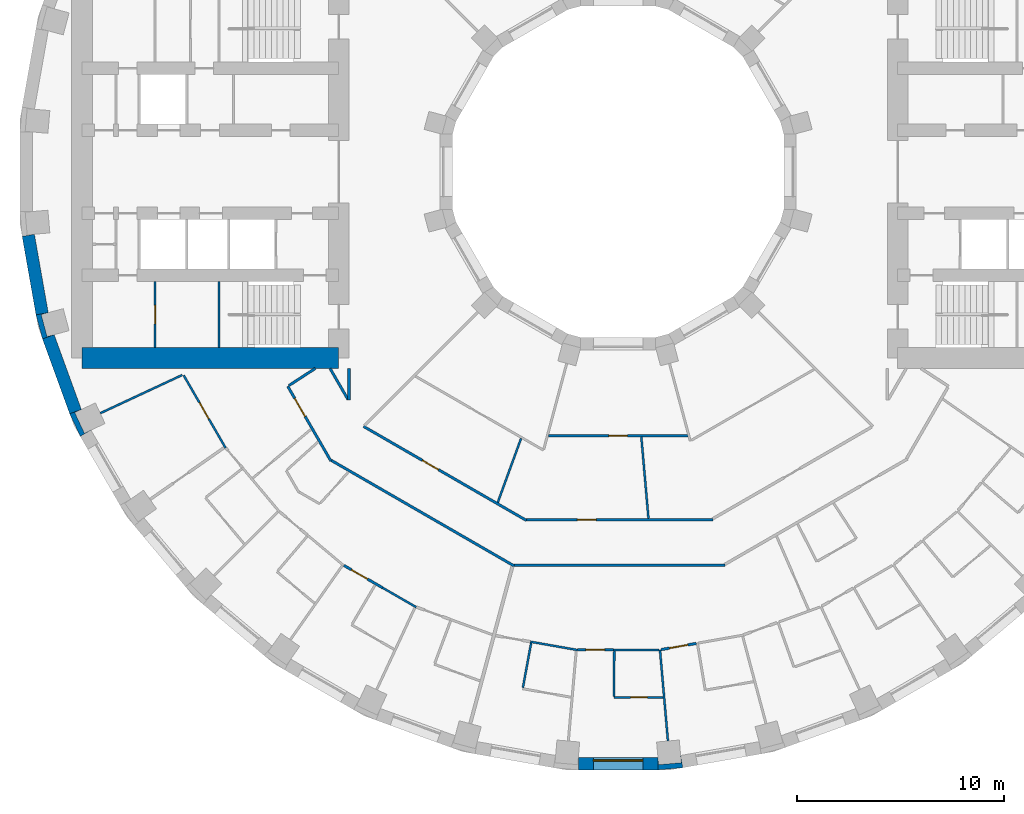
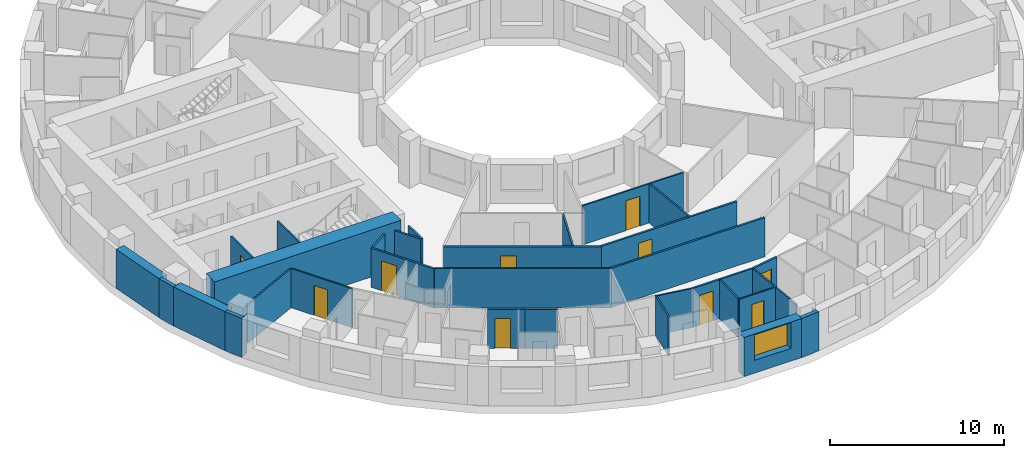
# One storey, part 3 of 14: 32 walls, 10 doors, 1 window, 11 openings.
"""IFC4 building model written with IfcOpenShell, lengths in metres."""

from ifc_helpers import new_model, si_unit, direction, frame, frame_2d, origin, place, context, subcontext, project, spatial, polyline, rectangle, outline, extrude, material, layer, layer_set, type_object, element, fill, save


model = new_model("IFC4")

# Units and contexts
model_context = context("Model", 3, precision=1e-05, world=origin(), true_north=direction((0.0, 1.0)))
body_context = subcontext(model_context, "Body", "Model", "MODEL_VIEW")
ifc_project = project(units=[si_unit("LENGTHUNIT", "METRE"), si_unit("AREAUNIT", "SQUARE_METRE"), si_unit("VOLUMEUNIT", "CUBIC_METRE"), si_unit("PLANEANGLEUNIT", "RADIAN"), si_unit("MASSUNIT", "GRAM", prefix="KILO")], contexts=[model_context])

# Site, building, storey
site_placement = place(None, origin())
site = spatial("IfcSite", under=ifc_project, at=site_placement, CompositionType="ELEMENT")
building_placement = place(site_placement, origin())
building = spatial("IfcBuilding", under=site, at=building_placement, Name="Saqina Gate Tower", CompositionType="ELEMENT")
storey_placement = place(building_placement, frame((0.0, 0.0, 52.699951171875)))
storey = spatial("IfcBuildingStorey", under=building, at=storey_placement, Name="L14", CompositionType="ELEMENT", Elevation=52.699951171875)

# Walls
ifc_material_1 = material(Name="Brick masonry (red)", Category="masonry")
wall_type_1 = type_object("IfcWallType", Name="BRICK PIER COPING RED", PredefinedType="SOLIDWALL", material=ifc_material_1)
wall_1_placement = place(storey_placement, origin())
element("IfcWall", 1, at=wall_1_placement, inside=storey, type_object=wall_type_1, Name="Pier cap L14 column 20", PredefinedType="SOLIDWALL", context=body_context, shape_type="SweptSolid", body=[
    extrude(outline(polyline([(-28.11669921875, -6.910400390625), (-27.80517578125, -8.073974609375), (-27.2412109375, -7.86865234375), (-27.57958984375, -7.95947265625), (-27.864501953125, -6.896728515625), (-27.52587890625, -6.80615234375), (-28.11669921875, -6.910400390625)])), origin(), (0.0, 0.0, 1.0), 2.75),
])
wall_2_placement = place(storey_placement, origin())
element("IfcWall", 2, at=wall_2_placement, inside=storey, type_object=wall_type_1, Name="Pier cap L14 column 21", PredefinedType="SOLIDWALL", context=body_context, shape_type="SweptSolid", body=[
    extrude(outline(polyline([(-25.980712890625, -12.779541015625), (-25.4609375, -12.4794921875), (-25.778564453125, -12.627685546875), (-26.243408203125, -11.630615234375), (-25.92578125, -11.482666015625), (-26.48974609375, -11.687744140625), (-25.980712890625, -12.779541015625)])), origin(), (0.0, 0.0, 1.0), 2.75),
])
wall_3_placement = place(storey_placement, origin())
element("IfcWall", 3, at=wall_3_placement, inside=storey, type_object=wall_type_1, Name="Pier cap L14 column 28", PredefinedType="SOLIDWALL", context=body_context, shape_type="SweptSolid", body=[
    extrude(outline(polyline([(1.9228515625, -28.8896484375), (3.122802734375, -28.78466796875), (3.018798828125, -28.19384765625), (3.04931640625, -28.54296875), (1.95361328125, -28.638671875), (1.9228515625, -28.28955078125), (1.9228515625, -28.8896484375)])), origin(), (0.0, 0.0, 1.0), 2.75),
])

# Wall, opening, door
ifc_material_2 = material(Name="Gypsum board on steel studs", Category="steel")
ifc_layer_1 = layer(ifc_material_2, 0.10009765625)
ifc_layer_set_1 = layer_set([ifc_layer_1], Name="CORE PARTITION")
wall_type_2 = type_object("IfcWallType", Name="CORE PARTITION", PredefinedType="PARTITIONING", material=ifc_layer_set_1)
wall_4_placement = place(storey_placement, frame((-22.360107421875, -8.5, 0.0), z_axis=(0.0, 0.0, 1.0), x_axis=(0.0, 1.0, 0.0)))
wall_4 = element("IfcWall", 4, at=wall_4_placement, inside=storey, type_object=wall_type_2, Name="L14-CP-W15", PredefinedType="PARTITIONING", context=body_context, shape_type="SweptSolid", body=[
    extrude(rectangle(XDim=3.199951171875, YDim=0.10009765625, at=frame_2d((1.60009765625, 0.0))), origin(), (0.0, 0.0, 1.0), 2.75),
])
opening_1_placement = place(wall_4_placement, frame((1.14990234375, 0.0, 0.0)))
opening_1 = element("IfcOpeningElement", 5, at=opening_1_placement, cuts=wall_4, Name="Opening G03-D118", PredefinedType="OPENING", context=body_context, shape_type="SweptSolid", body=[
    extrude(rectangle(XDim=0.89990234375, YDim=2.10009765625, at=frame_2d((0.449951171875, 1.050048828125))), frame((0.0, 0.06201171875, 0.0), z_axis=(0.0, -1.0, 0.0), x_axis=(1.0, 0.0, 0.0)), (0.0, 0.0, 1.0), 0.1240234375),
])
ifc_material_3 = material(Name="Steel-framed fire door leaf, EI 60", Category="steel")
door_type_1 = type_object("IfcDoorType", Name="SERVICE ROOM DOOR 900", OperationType="SINGLE_SWING_LEFT", PredefinedType="DOOR", material=ifc_material_3)
door_1_placement = place(opening_1_placement, origin())
door_1 = element("IfcDoor", 6, at=door_1_placement, inside=storey, type_object=door_type_1, Name="L14-CD-W29", OperationType="SINGLE_SWING_LEFT", OverallHeight=2.10009765625, OverallWidth=0.89990234375, PredefinedType="DOOR", context=body_context, shape_type="SweptSolid", body=[
    extrude(rectangle(XDim=0.89990234375, YDim=2.10009765625, at=frame_2d((0.449951171875, 1.050048828125))), frame((0.0, 0.02490234375, 0.0), z_axis=(0.0, -1.0, 0.0), x_axis=(1.0, 0.0, 0.0)), (0.0, 0.0, 1.0), 0.050048828125),
])
fill(opening_1, door_1)

# Wall, opening, window
ifc_material_4 = material(Name="Brick masonry (red)", Category="masonry")
ifc_layer_2 = layer(ifc_material_4, 0.60009765625)
ifc_layer_set_2 = layer_set([ifc_layer_2], Name="FW-BRICK-RED")
wall_type_3 = type_object("IfcWallType", Name="FW-BRICK-RED", PredefinedType="SOLIDWALL", material=ifc_layer_set_2)
wall_5_placement = place(storey_placement, frame((-1.9228515625, -28.589599609375, 0.0), z_axis=(0.0, 0.0, 1.0), x_axis=(1.0, 0.0, 0.0)))
wall_5 = element("IfcWall", 7, at=wall_5_placement, inside=storey, type_object=wall_type_3, Name="Facade wall L14 facet 27", PredefinedType="SOLIDWALL", context=body_context, shape_type="SweptSolid", body=[
    extrude(rectangle(XDim=3.845703125, YDim=0.60009765625, at=frame_2d((1.9228515625, 0.0))), origin(), (0.0, 0.0, 1.0), 2.75),
])
opening_2_placement = place(wall_5_placement, frame((0.722900390625, 0.0, 0.89990234375)))
opening_2 = element("IfcOpeningElement", 8, at=opening_2_placement, cuts=wall_5, Name="Opening G03-W20", PredefinedType="OPENING", context=body_context, shape_type="SweptSolid", body=[
    extrude(rectangle(XDim=2.39990234375, YDim=1.800048828125, at=frame_2d((1.199951171875, 0.89990234375))), frame((0.0, 0.31201171875, 0.0), z_axis=(0.0, -1.0, 0.0), x_axis=(1.0, 0.0, 0.0)), (0.0, 0.0, 1.0), 0.6240234375),
])
ifc_material_5 = material(Name="Aluminium glazing", Category="aluminium")
window_type = type_object("IfcWindowType", Name="WN-A", PartitioningType="SINGLE_PANEL", PredefinedType="WINDOW", material=ifc_material_5)
window_placement = place(opening_2_placement, origin())
window = element("IfcWindow", 9, at=window_placement, inside=storey, type_object=window_type, Name="Window L14 facet 27", OverallHeight=1.800048828125, OverallWidth=2.39990234375, PartitioningType="SINGLE_PANEL", PredefinedType="WINDOW", context=body_context, shape_type="SweptSolid", body=[
    extrude(rectangle(XDim=2.39990234375, YDim=1.800048828125, at=frame_2d((1.199951171875, 0.89990234375))), frame((0.0, 0.179931640625, 0.0), z_axis=(0.0, -1.0, 0.0), x_axis=(1.0, 0.0, 0.0)), (0.0, 0.0, 1.0), 0.06005859375),
])
fill(opening_2, window)

# Walls
ifc_material_6 = material(Name="Glazed ceramic tile", Category="ceramic")
ifc_layer_3 = layer(ifc_material_6, 0.60009765625)
ifc_layer_set_3 = layer_set([ifc_layer_3], Name="FW-TILE")
wall_type_4 = type_object("IfcWallType", Name="FW-TILE", PredefinedType="SOLIDWALL", material=ifc_layer_set_3)
wall_6_placement = place(storey_placement, frame((-28.4892578125, -3.07080078125, 0.0), z_axis=(0.0, 0.0, 1.0), x_axis=(0.173687553279, -0.984800809218, 0.0)))
element("IfcWall", 10, at=wall_6_placement, inside=storey, type_object=wall_type_4, Name="Facade wall L14 facet 19", PredefinedType="SOLIDWALL", context=body_context, shape_type="SweptSolid", body=[
    extrude(rectangle(XDim=3.845703125, YDim=0.60009765625, at=frame_2d((1.9228515625, 0.0))), origin(), (0.0, 0.0, 1.0), 2.75),
])
ifc_material_7 = material(Name="Glazed ceramic tile (dark blue)", Category="ceramic")
ifc_layer_4 = layer(ifc_material_7, 0.60009765625)
ifc_layer_set_4 = layer_set([ifc_layer_4], Name="FW-TILE-CB")
wall_type_5 = type_object("IfcWallType", Name="FW-TILE-CB", PredefinedType="SOLIDWALL", material=ifc_layer_set_4)
wall_7_placement = place(storey_placement, frame((-27.523193359375, -7.97119140625, 0.0), z_axis=(0.0, 0.0, 1.0), x_axis=(0.342028474173, -0.939689588564, 0.0)))
element("IfcWall", 11, at=wall_7_placement, inside=storey, type_object=wall_type_5, Name="Facade wall L14 facet 20", PredefinedType="SOLIDWALL", context=body_context, shape_type="SweptSolid", body=[
    extrude(rectangle(XDim=3.845947265625, YDim=0.60009765625, at=frame_2d((1.9228515625, 0.0))), origin(), (0.0, 0.0, 1.0), 2.75),
])
ifc_material_8 = material(Name="Gypsum board on steel studs, 100 mm", Category="steel")
ifc_layer_5 = layer(ifc_material_8, 0.10009765625)
ifc_layer_set_5 = layer_set([ifc_layer_5], Name="PARTITION 100")
wall_type_6 = type_object("IfcWallType", Name="PARTITION 100", PredefinedType="PARTITIONING", material=ifc_layer_set_5)
wall_8_placement = place(storey_placement, frame((1.119384765625, -12.7998046875, 0.0), z_axis=(0.0, 0.0, 1.0), x_axis=(0.087327835862, -0.996179626917, 0.0)))
element("IfcWall", 12, at=wall_8_placement, inside=storey, type_object=wall_type_6, Name="PARTITION PW3-02", PredefinedType="PARTITIONING", context=body_context, shape_type="SweptSolid", body=[
    extrude(rectangle(XDim=3.953125, YDim=0.10009765625, at=frame_2d((1.9765625, 0.0))), origin(), (0.0, 0.0, 1.0), 2.75),
])
wall_9_placement = place(storey_placement, frame((2.02001953125, -23.090087890625, 0.0), z_axis=(0.0, 0.0, 1.0), x_axis=(0.087326902968, -0.996179708696, 0.0)))
element("IfcWall", 13, at=wall_9_placement, inside=storey, type_object=wall_type_6, Name="PARTITION PW3-03", PredefinedType="PARTITIONING", context=body_context, shape_type="SweptSolid", body=[
    extrude(rectangle(XDim=4.41162109375, YDim=0.10009765625, at=frame_2d((2.205810546875, 0.0))), origin(), (0.0, 0.0, 1.0), 2.75),
])

# Wall, opening, door
wall_10_placement = place(storey_placement, frame((-20.98095703125, -9.83837890625, 0.0), z_axis=(0.0, 0.0, 1.0), x_axis=(0.500011837539, -0.86601856927, 0.0)))
wall_10 = element("IfcWall", 14, at=wall_10_placement, inside=storey, type_object=wall_type_6, Name="PARTITION PW3-21", PredefinedType="PARTITIONING", context=body_context, shape_type="SweptSolid", body=[
    extrude(rectangle(XDim=4.041015625, YDim=0.10009765625, at=frame_2d((2.0205078125, 0.0))), origin(), (0.0, 0.0, 1.0), 2.75),
])
opening_3_placement = place(wall_10_placement, frame((1.521240234375, 0.0, 0.0)))
opening_3 = element("IfcOpeningElement", 15, at=opening_3_placement, cuts=wall_10, Name="Opening G03-D39", PredefinedType="OPENING", context=body_context, shape_type="SweptSolid", body=[
    extrude(rectangle(XDim=0.89990234375, YDim=2.10009765625, at=frame_2d((0.449951171875, 1.050048828125))), frame((0.0, 0.06201171875, 0.0), z_axis=(0.0, -1.0, 0.0), x_axis=(1.0, 0.0, 0.0)), (0.0, 0.0, 1.0), 0.1240234375),
])
ifc_material_9 = material(Name="Timber door leaf, 900 mm", Category="wood")
door_type_2 = type_object("IfcDoorType", Name="DOOR 900 TIMBER", OperationType="SINGLE_SWING_LEFT", PredefinedType="DOOR", material=ifc_material_9)
door_2_placement = place(opening_3_placement, origin())
door_2 = element("IfcDoor", 16, at=door_2_placement, inside=storey, type_object=door_type_2, Name="DOOR G03-D39", OperationType="SINGLE_SWING_LEFT", OverallHeight=2.10009765625, OverallWidth=0.89990234375, PredefinedType="DOOR", context=body_context, shape_type="SweptSolid", body=[
    extrude(rectangle(XDim=0.89990234375, YDim=2.10009765625, at=frame_2d((0.449951171875, 1.050048828125))), frame((0.0, 0.02490234375, 0.0), z_axis=(0.0, -1.0, 0.0), x_axis=(1.0, 0.0, 0.0)), (0.0, 0.0, 1.0), 0.050048828125),
])
fill(opening_3, door_2)

# Walls
wall_11_placement = place(storey_placement, frame((-11.38037109375, -20.09130859375, 0.0), z_axis=(0.0, 0.0, 1.0), x_axis=(0.866207192616, -0.499685000235, 0.0)))
element("IfcWall", 17, at=wall_11_placement, inside=storey, type_object=wall_type_6, Name="PARTITION PW3-45", PredefinedType="PARTITIONING", context=body_context, shape_type="SweptSolid", body=[
    extrude(rectangle(XDim=1.881103515625, YDim=0.10009765625, at=frame_2d((0.9404296875, 0.0))), origin(), (0.0, 0.0, 1.0), 2.75),
])
wall_12_placement = place(storey_placement, frame((-4.2412109375, -22.6982421875, 0.0), z_axis=(0.0, 0.0, 1.0), x_axis=(0.984796344358, -0.173712866935, 0.0)))
element("IfcWall", 18, at=wall_12_placement, inside=storey, type_object=wall_type_6, Name="PARTITION PW3-58", PredefinedType="PARTITIONING", context=body_context, shape_type="SweptSolid", body=[
    extrude(rectangle(XDim=2.306396484375, YDim=0.10009765625, at=frame_2d((1.1533203125, 0.0))), origin(), (0.0, 0.0, 1.0), 2.75),
])

# Wall, opening, door
wall_13_placement = place(storey_placement, frame((-0.202880859375, -25.389892578125, 0.0), z_axis=(0.0, 0.0, 1.0), x_axis=(1.0, 0.0, 0.0)))
wall_13 = element("IfcWall", 19, at=wall_13_placement, inside=storey, type_object=wall_type_6, Name="PARTITION PW3-61", PredefinedType="PARTITIONING", context=body_context, shape_type="SweptSolid", body=[
    extrude(rectangle(XDim=2.373779296875, YDim=0.10009765625, at=frame_2d((1.18701171875, 0.0))), origin(), (0.0, 0.0, 1.0), 2.75),
])
opening_4_placement = place(wall_13_placement, frame((0.81201171875, 0.0, 0.0)))
opening_4 = element("IfcOpeningElement", 20, at=opening_4_placement, cuts=wall_13, Name="Opening G03-D59", PredefinedType="OPENING", context=body_context, shape_type="SweptSolid", body=[
    extrude(rectangle(XDim=0.800048828125, YDim=2.10009765625, at=frame_2d((0.39990234375, 1.050048828125))), frame((0.0, 0.06201171875, 0.0), z_axis=(0.0, -1.0, 0.0), x_axis=(1.0, 0.0, 0.0)), (0.0, 0.0, 1.0), 0.1240234375),
])
ifc_material_10 = material(Name="Timber door leaf, 800 mm", Category="wood")
door_type_3 = type_object("IfcDoorType", Name="DOOR 800 TIMBER", OperationType="SINGLE_SWING_LEFT", PredefinedType="DOOR", material=ifc_material_10)
door_3_placement = place(opening_4_placement, frame((0.800048828125, 0.0, 0.0), z_axis=(0.0, 0.0, 1.0), x_axis=(-1.0, 0.0, 0.0)))
door_3 = element("IfcDoor", 21, at=door_3_placement, inside=storey, type_object=door_type_3, Name="DOOR G03-D59", OperationType="SINGLE_SWING_LEFT", OverallHeight=2.10009765625, OverallWidth=0.800048828125, PredefinedType="DOOR", context=body_context, shape_type="SweptSolid", body=[
    extrude(rectangle(XDim=0.800048828125, YDim=2.10009765625, at=frame_2d((0.39990234375, 1.050048828125))), frame((0.0, 0.02490234375, 0.0), z_axis=(0.0, -1.0, 0.0), x_axis=(1.0, 0.0, 0.0)), (0.0, 0.0, 1.0), 0.050048828125),
])
fill(opening_4, door_3)

# Wall
wall_14_placement = place(storey_placement, frame((-0.235107421875, -23.090087890625, 0.0), z_axis=(0.0, 0.0, 1.0), x_axis=(1.0, 0.0, 0.0)))
element("IfcWall", 22, at=wall_14_placement, inside=storey, type_object=wall_type_6, Name="PARTITION PW3-62", PredefinedType="PARTITIONING", context=body_context, shape_type="SweptSolid", body=[
    extrude(rectangle(XDim=2.205078125, YDim=0.10009765625, at=frame_2d((1.1025390625, 0.0))), origin(), (0.0, 0.0, 1.0), 2.75),
])

# Wall, opening, door
wall_15_placement = place(storey_placement, frame((-3.365966796875, -12.75, 0.0), z_axis=(0.0, 0.0, 1.0), x_axis=(1.0, 0.0, 0.0)))
wall_15 = element("IfcWall", 23, at=wall_15_placement, inside=storey, type_object=wall_type_6, Name="PARTITION PW3-63", PredefinedType="PARTITIONING", context=body_context, shape_type="SweptSolid", body=[
    extrude(rectangle(XDim=6.73193359375, YDim=0.10009765625, at=frame_2d((3.365966796875, 0.0))), origin(), (0.0, 0.0, 1.0), 2.75),
])
opening_5_placement = place(wall_15_placement, frame((2.916015625, 0.0, 0.0)))
opening_5 = element("IfcOpeningElement", 24, at=opening_5_placement, cuts=wall_15, Name="Opening G03-D58", PredefinedType="OPENING", context=body_context, shape_type="SweptSolid", body=[
    extrude(rectangle(XDim=0.89990234375, YDim=2.10009765625, at=frame_2d((0.449951171875, 1.050048828125))), frame((0.0, 0.06201171875, 0.0), z_axis=(0.0, -1.0, 0.0), x_axis=(1.0, 0.0, 0.0)), (0.0, 0.0, 1.0), 0.1240234375),
])
door_4_placement = place(opening_5_placement, frame((0.89990234375, 0.0, 0.0), z_axis=(0.0, 0.0, 1.0), x_axis=(-1.0, 0.0, 0.0)))
door_4 = element("IfcDoor", 25, at=door_4_placement, inside=storey, type_object=door_type_2, Name="DOOR G03-D58", OperationType="SINGLE_SWING_RIGHT", OverallHeight=2.10009765625, OverallWidth=0.89990234375, PredefinedType="DOOR", context=body_context, shape_type="SweptSolid", body=[
    extrude(rectangle(XDim=0.89990234375, YDim=2.10009765625, at=frame_2d((0.449951171875, 1.050048828125))), frame((0.0, 0.02490234375, 0.0), z_axis=(0.0, -1.0, 0.0), x_axis=(1.0, 0.0, 0.0)), (0.0, 0.0, 1.0), 0.050048828125),
])
fill(opening_5, door_4)

# Walls
wall_16_placement = place(storey_placement, frame((-25.005126953125, -11.65966796875, 0.0), z_axis=(0.0, 0.0, 1.0), x_axis=(0.906326060206, 0.422579072591, 0.0)))
element("IfcWall", 26, at=wall_16_placement, inside=storey, type_object=wall_type_6, Name="PARTITION PW3-78", PredefinedType="PARTITIONING", context=body_context, shape_type="SweptSolid", body=[
    extrude(rectangle(XDim=4.362548828125, YDim=0.10009765625, at=frame_2d((2.18115234375, 0.0))), origin(), (0.0, 0.0, 1.0), 2.75),
])
wall_17_placement = place(storey_placement, frame((-5.813720703125, -15.97119140625, 0.0), z_axis=(0.0, 0.0, 1.0), x_axis=(0.342207917315, 0.939624255395, 0.0)))
element("IfcWall", 27, at=wall_17_placement, inside=storey, type_object=wall_type_6, Name="PARTITION PW3-116", PredefinedType="PARTITIONING", context=body_context, shape_type="SweptSolid", body=[
    extrude(rectangle(XDim=3.288818359375, YDim=0.10009765625, at=frame_2d((1.64453125, 0.0))), origin(), (0.0, 0.0, 1.0), 2.75),
])
wall_18_placement = place(storey_placement, frame((-4.599853515625, -24.919921875, 0.0), z_axis=(0.0, 0.0, 1.0), x_axis=(0.181199143807, 0.983446424714, 0.0)))
element("IfcWall", 28, at=wall_18_placement, inside=storey, type_object=wall_type_6, Name="PARTITION PW3-122", PredefinedType="PARTITIONING", context=body_context, shape_type="SweptSolid", body=[
    extrude(rectangle(XDim=2.2001953125, YDim=0.10009765625, at=frame_2d((1.10009765625, 0.0))), origin(), (0.0, 0.0, 1.0), 2.75),
])
wall_19_placement = place(storey_placement, frame((-0.20263671875, -25.340087890625, 0.0), z_axis=(0.0, 0.0, 1.0), x_axis=(0.007812261592, 0.999969483819, 0.0)))
element("IfcWall", 29, at=wall_19_placement, inside=storey, type_object=wall_type_6, Name="PARTITION PW3-129", PredefinedType="PARTITIONING", context=body_context, shape_type="SweptSolid", body=[
    extrude(rectangle(XDim=2.1875, YDim=0.10009765625, at=frame_2d((1.09375, 0.0))), origin(), (0.0, 0.0, 1.0), 2.75),
])

# Wall, opening, door
ifc_material_11 = material(Name="Gypsum board on steel studs, 125 mm, fire rated", Category="steel")
ifc_layer_6 = layer(ifc_material_11, 0.125)
ifc_layer_set_6 = layer_set([ifc_layer_6], Name="PARTITION EI 30 125")
wall_type_7 = type_object("IfcWallType", Name="PARTITION EI 30 125", PredefinedType="PARTITIONING", material=ifc_layer_set_6)
wall_20_placement = place(storey_placement, frame((-15.95703125, -10.362060546875, 0.0), z_axis=(0.0, 0.0, 1.0), x_axis=(0.500063859158, -0.865988531543, 0.0)))
wall_20 = element("IfcWall", 30, at=wall_20_placement, inside=storey, type_object=wall_type_7, Name="PARTITION PW1-01", PredefinedType="PARTITIONING", context=body_context, shape_type="SweptSolid", body=[
    extrude(rectangle(XDim=4.16796875, YDim=0.125, at=frame_2d((2.083984375, 0.0))), origin(), (0.0, 0.0, 1.0), 2.75),
])
opening_6_placement = place(wall_20_placement, frame((0.673828125, 0.0, 0.0)))
opening_6 = element("IfcOpeningElement", 31, at=opening_6_placement, cuts=wall_20, Name="Opening G03-D41", PredefinedType="OPENING", context=body_context, shape_type="SweptSolid", body=[
    extrude(rectangle(XDim=1.0, YDim=2.10009765625, at=frame_2d((0.5, 1.050048828125))), frame((0.0, 0.074462890625, 0.0), z_axis=(0.0, -1.0, 0.0), x_axis=(1.0, 0.0, 0.0)), (0.0, 0.0, 1.0), 0.14892578125),
])
ifc_material_12 = material(Name="Fire door leaf EI 30, 1000 mm")
door_type_4 = type_object("IfcDoorType", Name="DOOR 1000 EI 30", OperationType="SINGLE_SWING_LEFT", PredefinedType="DOOR", material=ifc_material_12)
door_5_placement = place(opening_6_placement, frame((1.0, 0.0, 0.0), z_axis=(0.0, 0.0, 1.0), x_axis=(-1.0, 0.0, 0.0)))
door_5 = element("IfcDoor", 32, at=door_5_placement, inside=storey, type_object=door_type_4, Name="DOOR G03-D41", OperationType="SINGLE_SWING_RIGHT", OverallHeight=2.10009765625, OverallWidth=1.0, PredefinedType="DOOR", context=body_context, shape_type="SweptSolid", body=[
    extrude(rectangle(XDim=1.0, YDim=2.10009765625, at=frame_2d((0.5, 1.050048828125))), frame((0.0, 0.02490234375, 0.0), z_axis=(0.0, -1.0, 0.0), x_axis=(1.0, 0.0, 0.0)), (0.0, 0.0, 1.0), 0.050048828125),
])
fill(opening_6, door_5)

# Wall
wall_21_placement = place(storey_placement, frame((-13.9140625, -9.5, 0.0), z_axis=(0.0, 0.0, 1.0), x_axis=(0.500066958712, -0.865986741702, 0.0)))
element("IfcWall", 33, at=wall_21_placement, inside=storey, type_object=wall_type_7, Name="PARTITION PW1-02", PredefinedType="PARTITIONING", context=body_context, shape_type="SweptSolid", body=[
    extrude(rectangle(XDim=1.738037109375, YDim=0.125, at=frame_2d((0.869140625, 0.0))), origin(), (0.0, 0.0, 1.0), 2.75),
])

# Wall, opening, door
wall_22_placement = place(storey_placement, frame((-13.250732421875, -19.010986328125, 0.0), z_axis=(0.0, 0.0, 1.0), x_axis=(0.865854192141, -0.500296430081, 0.0)))
wall_22 = element("IfcWall", 34, at=wall_22_placement, inside=storey, type_object=wall_type_7, Name="PARTITION PW1-12", PredefinedType="PARTITIONING", context=body_context, shape_type="SweptSolid", body=[
    extrude(rectangle(XDim=2.159912109375, YDim=0.125, at=frame_2d((1.080078125, 0.0))), origin(), (0.0, 0.0, 1.0), 2.75),
])
opening_7_placement = place(wall_22_placement, frame((0.41748046875, 0.0, 0.0)))
opening_7 = element("IfcOpeningElement", 35, at=opening_7_placement, cuts=wall_22, Name="Opening G03-D48", PredefinedType="OPENING", context=body_context, shape_type="SweptSolid", body=[
    extrude(rectangle(XDim=0.89990234375, YDim=2.10009765625, at=frame_2d((0.449951171875, 1.050048828125))), frame((0.0, 0.074462890625, 0.0), z_axis=(0.0, -1.0, 0.0), x_axis=(1.0, 0.0, 0.0)), (0.0, 0.0, 1.0), 0.14892578125),
])
ifc_material_13 = material(Name="Fire door leaf EI 30, 900 mm")
door_type_5 = type_object("IfcDoorType", Name="DOOR 900 EI 30", OperationType="SINGLE_SWING_LEFT", PredefinedType="DOOR", material=ifc_material_13)
door_6_placement = place(opening_7_placement, origin())
door_6 = element("IfcDoor", 36, at=door_6_placement, inside=storey, type_object=door_type_5, Name="DOOR G03-D48", OperationType="SINGLE_SWING_LEFT", OverallHeight=2.10009765625, OverallWidth=0.89990234375, PredefinedType="DOOR", context=body_context, shape_type="SweptSolid", body=[
    extrude(rectangle(XDim=0.89990234375, YDim=2.10009765625, at=frame_2d((0.449951171875, 1.050048828125))), frame((0.0, 0.02490234375, 0.0), z_axis=(0.0, -1.0, 0.0), x_axis=(1.0, 0.0, 0.0)), (0.0, 0.0, 1.0), 0.050048828125),
])
fill(opening_7, door_6)

# Wall
wall_23_placement = place(storey_placement, frame((-13.85498046875, -13.940185546875, 0.0), z_axis=(0.0, 0.0, 1.0), x_axis=(0.866024825845, -0.50000100102, 0.0)))
element("IfcWall", 37, at=wall_23_placement, inside=storey, type_object=wall_type_7, Name="PARTITION PW1-13", PredefinedType="PARTITIONING", context=body_context, shape_type="SweptSolid", body=[
    extrude(rectangle(XDim=10.19189453125, YDim=0.125, at=frame_2d((5.095947265625, 0.0))), origin(), (0.0, 0.0, 1.0), 2.75),
])

# Wall, opening, door
wall_24_placement = place(storey_placement, frame((-12.298095703125, -12.298095703125, 0.0), z_axis=(0.0, 0.0, 1.0), x_axis=(0.865982621983, -0.500074092933, 0.0)))
wall_24 = element("IfcWall", 38, at=wall_24_placement, inside=storey, type_object=wall_type_7, Name="PARTITION PW1-14", PredefinedType="PARTITIONING", context=body_context, shape_type="SweptSolid", body=[
    extrude(rectangle(XDim=9.07470703125, YDim=0.125, at=frame_2d((4.537353515625, 0.0))), origin(), (0.0, 0.0, 1.0), 2.75),
])
opening_8_placement = place(wall_24_placement, frame((3.281494140625, 0.0, 0.0)))
opening_8 = element("IfcOpeningElement", 39, at=opening_8_placement, cuts=wall_24, Name="Opening G03-D49", PredefinedType="OPENING", context=body_context, shape_type="SweptSolid", body=[
    extrude(rectangle(XDim=0.89990234375, YDim=2.10009765625, at=frame_2d((0.449951171875, 1.050048828125))), frame((0.0, 0.074462890625, 0.0), z_axis=(0.0, -1.0, 0.0), x_axis=(1.0, 0.0, 0.0)), (0.0, 0.0, 1.0), 0.14892578125),
])
door_7_placement = place(opening_8_placement, origin())
door_7 = element("IfcDoor", 40, at=door_7_placement, inside=storey, type_object=door_type_5, Name="DOOR G03-D49", OperationType="SINGLE_SWING_LEFT", OverallHeight=2.10009765625, OverallWidth=0.89990234375, PredefinedType="DOOR", context=body_context, shape_type="SweptSolid", body=[
    extrude(rectangle(XDim=0.89990234375, YDim=2.10009765625, at=frame_2d((0.449951171875, 1.050048828125))), frame((0.0, 0.02490234375, 0.0), z_axis=(0.0, -1.0, 0.0), x_axis=(1.0, 0.0, 0.0)), (0.0, 0.0, 1.0), 0.050048828125),
])
fill(opening_8, door_7)

wall_25_placement = place(storey_placement, frame((-1.969970703125, -23.090087890625, 0.0), z_axis=(0.0, 0.0, 1.0), x_axis=(1.0, 0.0, 0.0)))
wall_25 = element("IfcWall", 41, at=wall_25_placement, inside=storey, type_object=wall_type_7, Name="PARTITION PW1-24", PredefinedType="PARTITIONING", context=body_context, shape_type="SweptSolid", body=[
    extrude(rectangle(XDim=1.73486328125, YDim=0.125, at=frame_2d((0.867431640625, 0.0))), origin(), (0.0, 0.0, 1.0), 2.75),
])
opening_9_placement = place(wall_25_placement, frame((0.41748046875, 0.0, 0.0)))
opening_9 = element("IfcOpeningElement", 42, at=opening_9_placement, cuts=wall_25, Name="Opening G03-D57", PredefinedType="OPENING", context=body_context, shape_type="SweptSolid", body=[
    extrude(rectangle(XDim=0.89990234375, YDim=2.10009765625, at=frame_2d((0.449951171875, 1.050048828125))), frame((0.0, 0.074462890625, 0.0), z_axis=(0.0, -1.0, 0.0), x_axis=(1.0, 0.0, 0.0)), (0.0, 0.0, 1.0), 0.14892578125),
])
door_8_placement = place(opening_9_placement, origin())
door_8 = element("IfcDoor", 43, at=door_8_placement, inside=storey, type_object=door_type_5, Name="DOOR G03-D57", OperationType="SINGLE_SWING_LEFT", OverallHeight=2.10009765625, OverallWidth=0.89990234375, PredefinedType="DOOR", context=body_context, shape_type="SweptSolid", body=[
    extrude(rectangle(XDim=0.89990234375, YDim=2.10009765625, at=frame_2d((0.449951171875, 1.050048828125))), frame((0.0, 0.02490234375, 0.0), z_axis=(0.0, -1.0, 0.0), x_axis=(1.0, 0.0, 0.0)), (0.0, 0.0, 1.0), 0.050048828125),
])
fill(opening_9, door_8)

# Wall
wall_26_placement = place(storey_placement, frame((-5.028564453125, -19.0, 0.0), z_axis=(0.0, 0.0, 1.0), x_axis=(1.0, 0.0, 0.0)))
element("IfcWall", 44, at=wall_26_placement, inside=storey, type_object=wall_type_7, Name="PARTITION PW1-25", PredefinedType="PARTITIONING", context=body_context, shape_type="SweptSolid", body=[
    extrude(rectangle(XDim=10.191650390625, YDim=0.125, at=frame_2d((5.095703125, 0.0))), origin(), (0.0, 0.0, 1.0), 2.75),
])

# Wall, opening, door
wall_27_placement = place(storey_placement, frame((-4.439453125, -16.800048828125, 0.0), z_axis=(0.0, 0.0, 1.0), x_axis=(1.0, 0.0, 0.0)))
wall_27 = element("IfcWall", 45, at=wall_27_placement, inside=storey, type_object=wall_type_7, Name="PARTITION PW1-26", PredefinedType="PARTITIONING", context=body_context, shape_type="SweptSolid", body=[
    extrude(rectangle(XDim=9.013671875, YDim=0.125, at=frame_2d((4.5068359375, 0.0))), origin(), (0.0, 0.0, 1.0), 2.75),
])
opening_10_placement = place(wall_27_placement, frame((2.473388671875, 0.0, 0.0)))
opening_10 = element("IfcOpeningElement", 46, at=opening_10_placement, cuts=wall_27, Name="Opening G03-D56", PredefinedType="OPENING", context=body_context, shape_type="SweptSolid", body=[
    extrude(rectangle(XDim=0.89990234375, YDim=2.10009765625, at=frame_2d((0.449951171875, 1.050048828125))), frame((0.0, 0.074462890625, 0.0), z_axis=(0.0, -1.0, 0.0), x_axis=(1.0, 0.0, 0.0)), (0.0, 0.0, 1.0), 0.14892578125),
])
door_9_placement = place(opening_10_placement, origin())
door_9 = element("IfcDoor", 47, at=door_9_placement, inside=storey, type_object=door_type_5, Name="DOOR G03-D56", OperationType="SINGLE_SWING_LEFT", OverallHeight=2.10009765625, OverallWidth=0.89990234375, PredefinedType="DOOR", context=body_context, shape_type="SweptSolid", body=[
    extrude(rectangle(XDim=0.89990234375, YDim=2.10009765625, at=frame_2d((0.449951171875, 1.050048828125))), frame((0.0, 0.02490234375, 0.0), z_axis=(0.0, -1.0, 0.0), x_axis=(1.0, 0.0, 0.0)), (0.0, 0.0, 1.0), 0.050048828125),
])
fill(opening_10, door_9)

wall_28_placement = place(storey_placement, frame((2.0693359375, -23.081298828125, 0.0), z_axis=(0.0, 0.0, 1.0), x_axis=(0.984782142107, 0.173793361747, 0.0)))
wall_28 = element("IfcWall", 48, at=wall_28_placement, inside=storey, type_object=wall_type_7, Name="PARTITION PW1-31", PredefinedType="PARTITIONING", context=body_context, shape_type="SweptSolid", body=[
    extrude(rectangle(XDim=1.73486328125, YDim=0.125, at=frame_2d((0.867431640625, 0.0))), origin(), (0.0, 0.0, 1.0), 2.75),
])
opening_11_placement = place(wall_28_placement, frame((0.41748046875, 0.0, 0.0)))
opening_11 = element("IfcOpeningElement", 49, at=opening_11_placement, cuts=wall_28, Name="Opening G03-D60", PredefinedType="OPENING", context=body_context, shape_type="SweptSolid", body=[
    extrude(rectangle(XDim=0.89990234375, YDim=2.10009765625, at=frame_2d((0.449951171875, 1.050048828125))), frame((0.0, 0.074462890625, 0.0), z_axis=(0.0, -1.0, 0.0), x_axis=(1.0, 0.0, 0.0)), (0.0, 0.0, 1.0), 0.14892578125),
])
door_10_placement = place(opening_11_placement, origin())
door_10 = element("IfcDoor", 50, at=door_10_placement, inside=storey, type_object=door_type_5, Name="DOOR G03-D60", OperationType="SINGLE_SWING_LEFT", OverallHeight=2.10009765625, OverallWidth=0.89990234375, PredefinedType="DOOR", context=body_context, shape_type="SweptSolid", body=[
    extrude(rectangle(XDim=0.89990234375, YDim=2.10009765625, at=frame_2d((0.449951171875, 1.050048828125))), frame((0.0, 0.02490234375, 0.0), z_axis=(0.0, -1.0, 0.0), x_axis=(1.0, 0.0, 0.0)), (0.0, 0.0, 1.0), 0.050048828125),
])
fill(opening_11, door_10)

# Walls
wall_29_placement = place(storey_placement, frame((-15.904541015625, -10.327880859375, 0.0), z_axis=(0.0, 0.0, 1.0), x_axis=(0.83882853689, 0.544395706908, 0.0)))
element("IfcWall", 51, at=wall_29_placement, inside=storey, type_object=wall_type_7, Name="PARTITION PW1-42", PredefinedType="PARTITIONING", context=body_context, shape_type="SweptSolid", body=[
    extrude(rectangle(XDim=1.520751953125, YDim=0.125, at=frame_2d((0.76025390625, 0.0))), origin(), (0.0, 0.0, 1.0), 2.75),
])
wall_30_placement = place(storey_placement, frame((-13.0, -11.0205078125, 0.0), z_axis=(0.0, 0.0, 1.0), x_axis=(0.0, 1.0, 0.0)))
element("IfcWall", 52, at=wall_30_placement, inside=storey, type_object=wall_type_7, Name="PARTITION PW1-58", PredefinedType="PARTITIONING", context=body_context, shape_type="SweptSolid", body=[
    extrude(rectangle(XDim=1.5205078125, YDim=0.125, at=frame_2d((0.76025390625, 0.0))), origin(), (0.0, 0.0, 1.0), 2.75),
])
ifc_material_14 = material(Name="Autoclaved aerated concrete block", Category="concrete")
ifc_layer_7 = layer(ifc_material_14, 0.10009765625)
ifc_layer_set_7 = layer_set([ifc_layer_7], Name="STAIR ENCLOSURE WALL")
wall_type_8 = type_object("IfcWallType", Name="STAIR ENCLOSURE WALL", PredefinedType="PARTITIONING", material=ifc_layer_set_7)
wall_31_placement = place(storey_placement, frame((-19.27001953125, -8.5, 0.0), z_axis=(0.0, 0.0, 1.0), x_axis=(0.0, 1.0, 0.0)))
element("IfcWall", 53, at=wall_31_placement, inside=storey, type_object=wall_type_8, Name="L14-CP-W14", PredefinedType="PARTITIONING", context=body_context, shape_type="SweptSolid", body=[
    extrude(rectangle(XDim=3.199951171875, YDim=0.10009765625, at=frame_2d((1.60009765625, 0.0))), origin(), (0.0, 0.0, 1.0), 2.75),
])
ifc_material_15 = material(Name="Concrete C70/85", Category="concrete")
ifc_layer_8 = layer(ifc_material_15, 1.0)
ifc_layer_set_8 = layer_set([ifc_layer_8], Name="Concrete C70/85")
wall_type_9 = type_object("IfcWallType", Name="STR-CORE WALL-A-O", PredefinedType="SHEAR", material=ifc_layer_set_8)
wall_32_placement = place(storey_placement, frame((-13.5, -9.0, 0.0), z_axis=(0.0, 0.0, 1.0), x_axis=(-1.0, 0.0, 0.0)))
element("IfcWall", 54, at=wall_32_placement, inside=storey, type_object=wall_type_9, Name="CORE WALL L14 W-SE", PredefinedType="SHEAR", context=body_context, shape_type="SweptSolid", body=[
    extrude(rectangle(XDim=12.39990234375, YDim=1.0, at=frame_2d((6.199951171875, 0.0))), origin(), (0.0, 0.0, 1.0), 3.300048828125),
])

save(model, "model.ifc")
